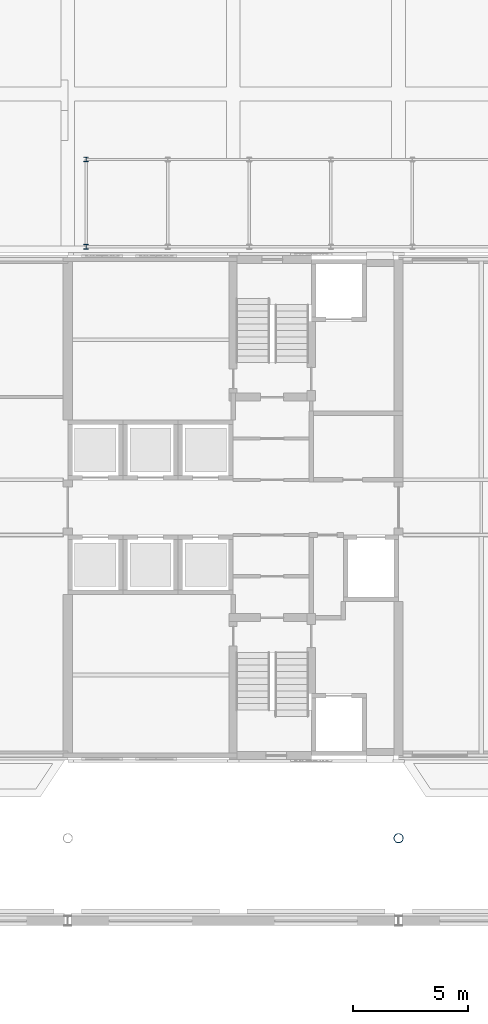
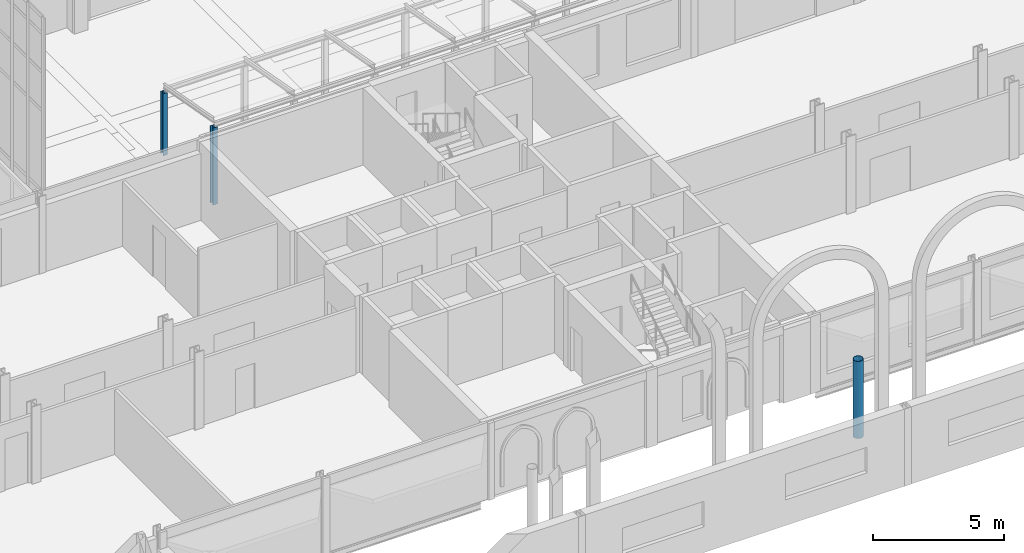
# One storey, part 16 of 143: 3 columns.
"""IFC4 building model written with IfcOpenShell, lengths in metres."""

from ifc_helpers import new_model, si_unit, direction, frame, origin, origin_2d, place, context, subcontext, project, spatial, hollow_circle, i_section, extrude, material, material_profile, profile_set, type_object, element, save


model = new_model("IFC4")

# Units and contexts
model_context = context("Model", 3, precision=1e-05, world=origin(), true_north=direction((0.0, 1.0)))
body_context = subcontext(model_context, "Body", "Model", "MODEL_VIEW")
ifc_project = project(units=[si_unit("LENGTHUNIT", "METRE"), si_unit("AREAUNIT", "SQUARE_METRE"), si_unit("VOLUMEUNIT", "CUBIC_METRE"), si_unit("PLANEANGLEUNIT", "RADIAN"), si_unit("MASSUNIT", "GRAM", prefix="KILO")], contexts=[model_context])

# Site, building, storey
site_placement = place(None, origin())
site = spatial("IfcSite", under=ifc_project, at=site_placement, CompositionType="ELEMENT")
building_placement = place(site_placement, origin())
building = spatial("IfcBuilding", under=site, at=building_placement, Name="Kupolbacken Congress Centre", CompositionType="ELEMENT")
storey_placement = place(building_placement, frame((0.0, 0.0, 7.199951171875)))
storey = spatial("IfcBuildingStorey", under=building, at=storey_placement, Name="L02", CompositionType="ELEMENT", Elevation=7.199951171875)

# Columns
ifc_material_1 = material(Name="Steel S355", Category="steel")
ifc_material_profile_1 = material_profile(ifc_material_1, i_section(OverallWidth=0.199951171875, OverallDepth=0.199951171875, WebThickness=0.009033203125, FlangeThickness=0.014892578125, FilletRadius=0.01806640625, at=origin_2d()), Name="HEB 200")
ifc_profile_set_1 = profile_set([ifc_material_profile_1], Name="Steel S355")
column_type_1 = type_object("IfcColumnType", Name="C11 column HEB 200", PredefinedType="COLUMN", material=ifc_profile_set_1)
column_1_placement = place(storey_placement, frame((94.39990234375, 144.550048828125, 0.0), z_axis=(0.0, 0.0, 1.0), x_axis=(1.0, 0.0, 0.0)))
element("IfcColumn", 1, at=column_1_placement, inside=storey, type_object=column_type_1, Name="Covered passage column", PredefinedType="COLUMN", context=body_context, shape_type="SweptSolid", body=[
    extrude(i_section(OverallWidth=0.199951171875, OverallDepth=0.199951171875, WebThickness=0.009033203125, FlangeThickness=0.014892578125, FilletRadius=0.01806640625, at=origin_2d()), origin(), (0.0, 0.0, 1.0), 3.60009765625),
])
column_2_placement = place(storey_placement, frame((94.39990234375, 148.35009765625, 0.0), z_axis=(0.0, 0.0, 1.0), x_axis=(1.0, 0.0, 0.0)))
element("IfcColumn", 2, at=column_2_placement, inside=storey, type_object=column_type_1, Name="Covered passage column", PredefinedType="COLUMN", context=body_context, shape_type="SweptSolid", body=[
    extrude(i_section(OverallWidth=0.199951171875, OverallDepth=0.199951171875, WebThickness=0.009033203125, FlangeThickness=0.014892578125, FilletRadius=0.01806640625, at=origin_2d()), origin(), (0.0, 0.0, 1.0), 2.900146484375),
])
ifc_material_2 = material(Name="Steel S355", Category="steel")
ifc_material_profile_2 = material_profile(ifc_material_2, hollow_circle(Radius=0.203125, WallThickness=0.01611328125, at=origin_2d()), Name="CHS 406.4 x 16")
ifc_profile_set_2 = profile_set([ifc_material_profile_2], Name="Steel S355")
column_type_2 = type_object("IfcColumnType", Name="C15 roof mast CHS 406.4 x 16", PredefinedType="COLUMN", material=ifc_profile_set_2)
column_3_placement = place(storey_placement, frame((108.0, 118.800048828125, 0.0), z_axis=(0.0, 0.0, 1.0), x_axis=(1.0, 0.0, 0.0)))
element("IfcColumn", 3, at=column_3_placement, inside=storey, type_object=column_type_2, Name="Roof mast M2N", PredefinedType="COLUMN", context=body_context, shape_type="SweptSolid", body=[
    extrude(hollow_circle(Radius=0.203125, WallThickness=0.01611328125, at=origin_2d()), origin(), (0.0, 0.0, 1.0), 3.60009765625),
])

save(model, "model.ifc")
